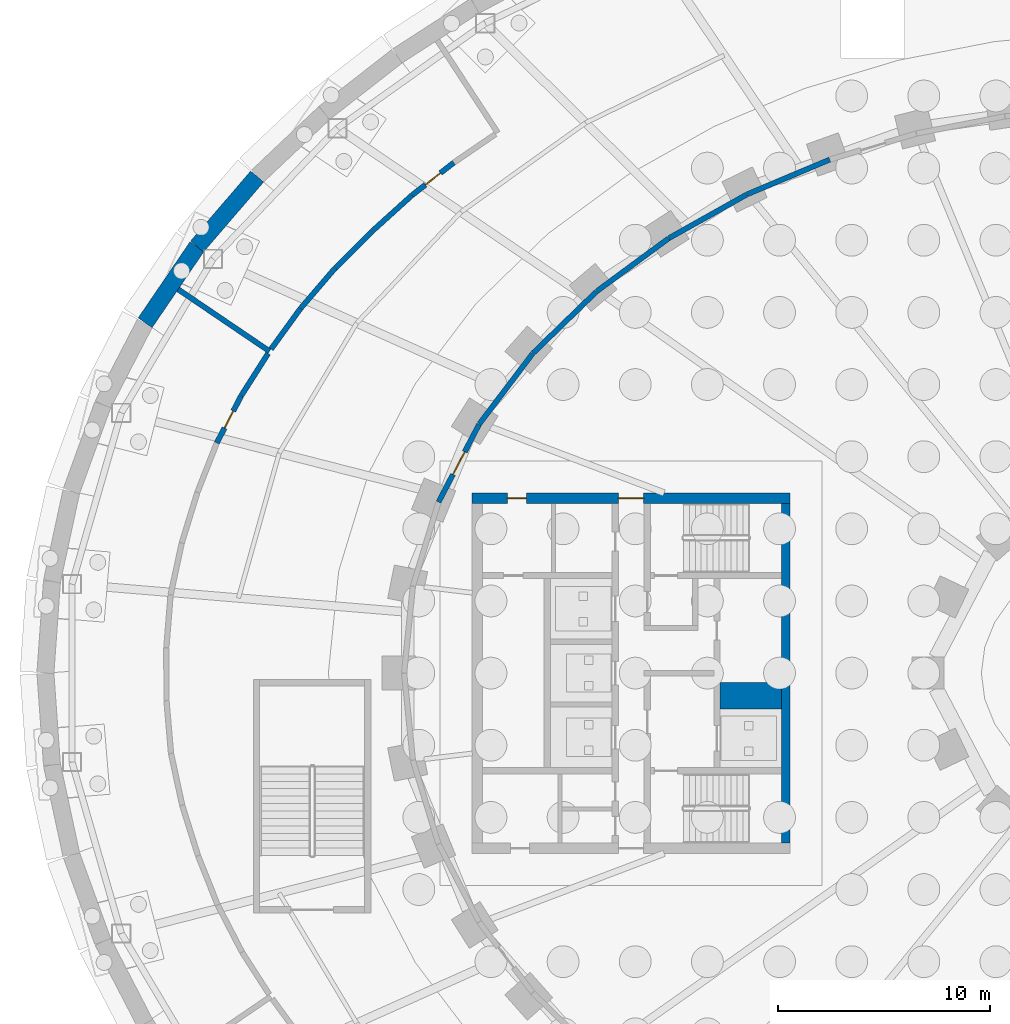
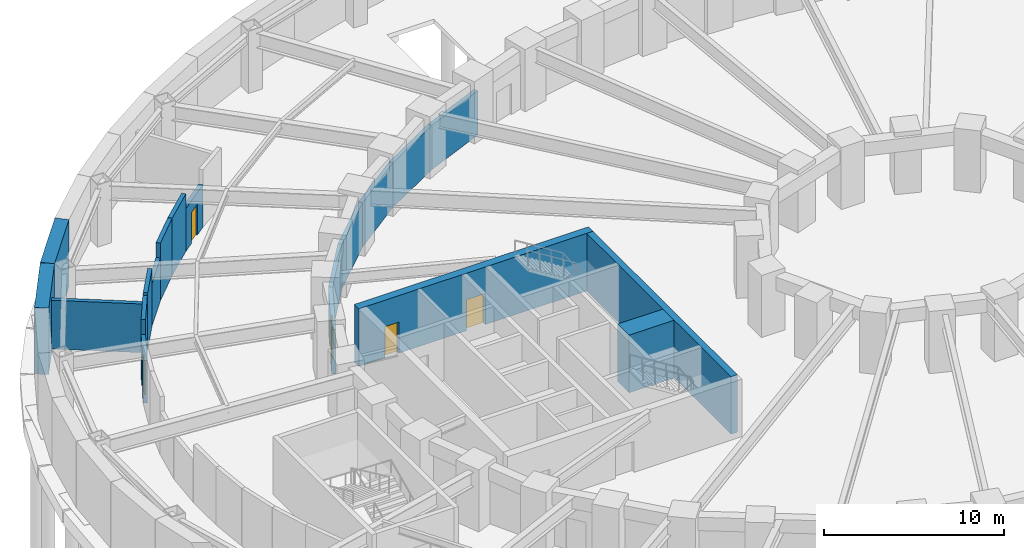
# One storey, part 12 of 19: 19 walls, 5 doors, 5 openings.
"""IFC4 building model written with IfcOpenShell, lengths in metres."""

from ifc_helpers import new_model, si_unit, direction, frame, frame_2d, origin, place, context, subcontext, project, spatial, rectangle, extrude, material, layer, layer_set, type_object, element, fill, save


model = new_model("IFC4")

# Units and contexts
model_context = context("Model", 3, precision=1e-05, world=origin(), true_north=direction((0.0, 1.0)))
body_context = subcontext(model_context, "Body", "Model", "MODEL_VIEW")
ifc_project = project(units=[si_unit("LENGTHUNIT", "METRE"), si_unit("AREAUNIT", "SQUARE_METRE"), si_unit("VOLUMEUNIT", "CUBIC_METRE"), si_unit("PLANEANGLEUNIT", "RADIAN"), si_unit("MASSUNIT", "GRAM", prefix="KILO")], contexts=[model_context])

# Site, building, storey
site_placement = place(None, origin())
site = spatial("IfcSite", under=ifc_project, at=site_placement, CompositionType="ELEMENT")
building_placement = place(site_placement, origin())
building = spatial("IfcBuilding", under=site, at=building_placement, Name="Noorbagh Ring Tower", CompositionType="ELEMENT")
storey_placement = place(building_placement, frame((0.0, 0.0, -8.39990234375)))
storey = spatial("IfcBuildingStorey", under=building, at=storey_placement, Name="B2", CompositionType="ELEMENT", Elevation=-8.39990234375)

# Walls
ifc_material_1 = material(Name="Concrete C70/85", Category="concrete")
ifc_layer_1 = layer(ifc_material_1, 1.25)
ifc_layer_set_1 = layer_set([ifc_layer_1], Name="Concrete C70/85")
wall_type_1 = type_object("IfcWallType", Name="CORE-WALL-1250-C70-85-EI120", PredefinedType="SHEAR", material=ifc_layer_set_1)
wall_1_placement = place(storey_placement, frame((-16.89990234375, -1.074951171875, 0.0), z_axis=(0.0, 0.0, 1.0), x_axis=(-1.0, 0.0, 0.0)))
element("IfcWall", 1, at=wall_1_placement, inside=storey, type_object=wall_type_1, Name="Core wall W", PredefinedType="SHEAR", context=body_context, shape_type="SweptSolid", body=[
    extrude(rectangle(XDim=2.900146484375, YDim=1.25, at=frame_2d((1.4501953125, 0.0))), origin(), (0.0, 0.0, 1.0), 3.89990234375),
])
ifc_material_2 = material(Name="Concrete C70/85", Category="concrete")
ifc_layer_2 = layer(ifc_material_2, 0.39990234375)
ifc_layer_set_2 = layer_set([ifc_layer_2], Name="Concrete C70/85")
wall_type_2 = type_object("IfcWallType", Name="CORE-WALL-400-C70-85-EI240", PredefinedType="SHEAR", material=ifc_layer_set_2)
wall_2_placement = place(storey_placement, frame((-16.699951171875, -8.0, 0.0), z_axis=(0.0, 0.0, 1.0), x_axis=(0.0, 1.0, 0.0)))
element("IfcWall", 2, at=wall_2_placement, inside=storey, type_object=wall_type_2, Name="Core wall W", PredefinedType="SHEAR", context=body_context, shape_type="SweptSolid", body=[
    extrude(rectangle(XDim=16.0, YDim=0.39990234375, at=frame_2d((8.0, 0.0))), origin(), (0.0, 0.0, 1.0), 3.89990234375),
])

# Wall, openings, doors
ifc_material_3 = material(Name="Concrete C70/85", Category="concrete")
ifc_layer_3 = layer(ifc_material_3, 0.5)
ifc_layer_set_3 = layer_set([ifc_layer_3], Name="Concrete C70/85")
wall_type_3 = type_object("IfcWallType", Name="CORE-WALL-500-C70-85-EI240", PredefinedType="SHEAR", material=ifc_layer_set_3)
wall_3_placement = place(storey_placement, frame((-16.5, 8.25, 0.0), z_axis=(0.0, 0.0, 1.0), x_axis=(-1.0, 0.0, 0.0)))
wall_3 = element("IfcWall", 3, at=wall_3_placement, inside=storey, type_object=wall_type_3, Name="Core wall W", PredefinedType="SHEAR", context=body_context, shape_type="SweptSolid", body=[
    extrude(rectangle(XDim=15.0, YDim=0.5, at=frame_2d((7.5, 0.0))), origin(), (0.0, 0.0, 1.0), 3.89990234375),
])
opening_1_placement = place(wall_3_placement, frame((6.89990234375, 0.0, 0.0)))
opening_1 = element("IfcOpeningElement", 4, at=opening_1_placement, cuts=wall_3, Name="Opening B2-CW09", PredefinedType="OPENING", context=body_context, shape_type="SweptSolid", body=[
    extrude(rectangle(XDim=1.199951171875, YDim=2.10009765625, at=frame_2d((0.60009765625, 1.050048828125))), frame((0.0, 0.260009765625, 0.0), z_axis=(0.0, -1.0, 0.0), x_axis=(1.0, 0.0, 0.0)), (0.0, 0.0, 1.0), 0.52001953125),
])
opening_2_placement = place(wall_3_placement, frame((12.425048828125, 0.0, 0.0)))
opening_2 = element("IfcOpeningElement", 5, at=opening_2_placement, cuts=wall_3, Name="Opening B2-CW13", PredefinedType="OPENING", context=body_context, shape_type="SweptSolid", body=[
    extrude(rectangle(XDim=0.89990234375, YDim=2.10009765625, at=frame_2d((0.449951171875, 1.050048828125))), frame((0.0, 0.260009765625, 0.0), z_axis=(0.0, -1.0, 0.0), x_axis=(1.0, 0.0, 0.0)), (0.0, 0.0, 1.0), 0.52001953125),
])
ifc_material_4 = material(Name="Steel door leaf", Category="steel")
door_type_1 = type_object("IfcDoorType", Name="CORE-DOOR-DROOM", OperationType="SINGLE_SWING_LEFT", PredefinedType="DOOR", material=ifc_material_4)
door_1_placement = place(opening_2_placement, origin())
door_1 = element("IfcDoor", 6, at=door_1_placement, inside=storey, type_object=door_type_1, Name="Core room door B2-CW13", OperationType="SINGLE_SWING_RIGHT", OverallHeight=2.10009765625, OverallWidth=0.89990234375, PredefinedType="DOOR", context=body_context, shape_type="SweptSolid", body=[
    extrude(rectangle(XDim=0.89990234375, YDim=2.10009765625, at=frame_2d((0.449951171875, 1.050048828125))), frame((0.0, 0.02490234375, 0.0), z_axis=(0.0, -1.0, 0.0), x_axis=(1.0, 0.0, 0.0)), (0.0, 0.0, 1.0), 0.050048828125),
])
fill(opening_2, door_1)
ifc_material_5 = material(Name="Steel door leaf", Category="steel")
door_type_2 = type_object("IfcDoorType", Name="CORE-DOOR-PORT", OperationType="DOUBLE_DOOR_DOUBLE_SWING", PredefinedType="DOOR", material=ifc_material_5)
door_2_placement = place(opening_1_placement, origin())
door_2 = element("IfcDoor", 7, at=door_2_placement, inside=storey, type_object=door_type_2, Name="Core entrance door B2-CW09", OperationType="DOUBLE_DOOR_DOUBLE_SWING", OverallHeight=2.10009765625, OverallWidth=1.199951171875, PredefinedType="DOOR", context=body_context, shape_type="SweptSolid", body=[
    extrude(rectangle(XDim=1.199951171875, YDim=2.10009765625, at=frame_2d((0.60009765625, 1.050048828125))), frame((0.0, 0.02490234375, 0.0), z_axis=(0.0, -1.0, 0.0), x_axis=(1.0, 0.0, 0.0)), (0.0, 0.0, 1.0), 0.050048828125),
])
fill(opening_1, door_2)

# Wall
ifc_material_6 = material(Name="Concrete C40/50", Category="concrete")
ifc_layer_4 = layer(ifc_material_6, 0.25)
ifc_layer_set_4 = layer_set([ifc_layer_4], Name="Concrete C40/50")
wall_type_4 = type_object("IfcWallType", Name="GND-WALL-250", PredefinedType="SOLIDWALL", material=ifc_layer_set_4)
wall_4_placement = place(storey_placement, frame((-41.103759765625, 15.063232421875, 0.0), z_axis=(0.0, 0.0, 1.0), x_axis=(-0.536701775194, -0.843772009789, 0.0)))
element("IfcWall", 8, at=wall_4_placement, inside=storey, type_object=wall_type_4, Name="Fire water tank room", PredefinedType="SOLIDWALL", context=body_context, shape_type="SweptSolid", body=[
    extrude(rectangle(XDim=2.364501953125, YDim=0.25, at=frame_2d((1.18212890625, 0.0))), origin(), (0.0, 0.0, 1.0), 3.89990234375),
])

# Wall, opening, door
wall_5_placement = place(storey_placement, frame((-42.379638671875, 13.055908203125, 0.0), z_axis=(0.0, 0.0, 1.0), x_axis=(-0.459310705797, -0.888275675419, 0.0)))
wall_5 = element("IfcWall", 9, at=wall_5_placement, inside=storey, type_object=wall_type_4, Name="Fire water tank room", PredefinedType="SOLIDWALL", context=body_context, shape_type="SweptSolid", body=[
    extrude(rectangle(XDim=2.486083984375, YDim=0.25, at=frame_2d((1.2431640625, 0.0))), origin(), (0.0, 0.0, 1.0), 2.89990234375),
])
opening_3_placement = place(wall_5_placement, frame((0.79296875, 0.0, 0.0)))
opening_3 = element("IfcOpeningElement", 10, at=opening_3_placement, cuts=wall_5, Name="Opening GD2", PredefinedType="OPENING", context=body_context, shape_type="SweptSolid", body=[
    extrude(rectangle(XDim=0.89990234375, YDim=2.10009765625, at=frame_2d((0.449951171875, 1.050048828125))), frame((0.0, 0.135009765625, 0.0), z_axis=(0.0, -1.0, 0.0), x_axis=(1.0, 0.0, 0.0)), (0.0, 0.0, 1.0), 0.27001953125),
])
ifc_material_7 = material(Name="Steel", Category="steel")
door_type_3 = type_object("IfcDoorType", Name="GND-DOOR-SVC120", OperationType="SINGLE_SWING_LEFT", PredefinedType="DOOR", material=ifc_material_7)
door_3_placement = place(opening_3_placement, origin())
door_3 = element("IfcDoor", 11, at=door_3_placement, inside=storey, type_object=door_type_3, Name="Fire water tank room door", OperationType="SINGLE_SWING_LEFT", OverallHeight=2.10009765625, OverallWidth=0.89990234375, PredefinedType="DOOR", context=body_context, shape_type="SweptSolid", body=[
    extrude(rectangle(XDim=0.89990234375, YDim=2.10009765625, at=frame_2d((0.449951171875, 1.050048828125))), frame((0.0, 0.02490234375, 0.0), z_axis=(0.0, -1.0, 0.0), x_axis=(1.0, 0.0, 0.0)), (0.0, 0.0, 1.0), 0.050048828125),
])
fill(opening_3, door_3)

# Wall
wall_6_placement = place(storey_placement, frame((-41.03662109375, 15.168701171875, 0.0), z_axis=(0.0, 0.0, 1.0), x_axis=(-0.827815300242, 0.561000738577, 0.0)))
element("IfcWall", 12, at=wall_6_placement, inside=storey, type_object=wall_type_4, Name="Fire water tank room", PredefinedType="SOLIDWALL", context=body_context, shape_type="SweptSolid", body=[
    extrude(rectangle(XDim=5.199951171875, YDim=0.25, at=frame_2d((2.60009765625, 0.0))), origin(), (0.0, 0.0, 1.0), 3.2998046875),
])

# Wall, opening, door
wall_7_placement = place(storey_placement, frame((-32.353271484375, 24.056884765625, 0.0), z_axis=(0.0, 0.0, 1.0), x_axis=(-0.788484208298, -0.615055000195, 0.0)))
wall_7 = element("IfcWall", 13, at=wall_7_placement, inside=storey, type_object=wall_type_4, Name="Plant room", PredefinedType="SOLIDWALL", context=body_context, shape_type="SweptSolid", body=[
    extrude(rectangle(XDim=2.486083984375, YDim=0.25, at=frame_2d((1.2431640625, 0.0))), origin(), (0.0, 0.0, 1.0), 2.89990234375),
])
opening_4_placement = place(wall_7_placement, frame((0.79296875, 0.0, 0.0)))
opening_4 = element("IfcOpeningElement", 14, at=opening_4_placement, cuts=wall_7, Name="Opening GD2", PredefinedType="OPENING", context=body_context, shape_type="SweptSolid", body=[
    extrude(rectangle(XDim=0.89990234375, YDim=2.10009765625, at=frame_2d((0.449951171875, 1.050048828125))), frame((0.0, 0.135009765625, 0.0), z_axis=(0.0, -1.0, 0.0), x_axis=(1.0, 0.0, 0.0)), (0.0, 0.0, 1.0), 0.27001953125),
])
door_4_placement = place(opening_4_placement, origin())
door_4 = element("IfcDoor", 15, at=door_4_placement, inside=storey, type_object=door_type_3, Name="Plant room door", OperationType="SINGLE_SWING_RIGHT", OverallHeight=2.10009765625, OverallWidth=0.89990234375, PredefinedType="DOOR", context=body_context, shape_type="SweptSolid", body=[
    extrude(rectangle(XDim=0.89990234375, YDim=2.10009765625, at=frame_2d((0.449951171875, 1.050048828125))), frame((0.0, 0.02490234375, 0.0), z_axis=(0.0, -1.0, 0.0), x_axis=(1.0, 0.0, 0.0)), (0.0, 0.0, 1.0), 0.050048828125),
])
fill(opening_4, door_4)

# Walls
for number, where, z_axis, x_axis, name in (
    (16, (-34.32421875, 22.518798828125, 0.0), (0.0, 0.0, 1.0), (-0.741933855282, -0.670473082522, 0.0), "Plant room"),
    (17, (-36.17724609375, 20.843994140625, 0.0), (0.0, 0.0, 1.0), (-0.709020987451, -0.705187378896, 0.0), "Plant room"),
):
    element("IfcWall", number, at=place(storey_placement, frame(where, z_axis=z_axis, x_axis=x_axis)), inside=storey, type_object=wall_type_4, Name=name, PredefinedType="SOLIDWALL", context=body_context, shape_type="SweptSolid", body=[
        extrude(rectangle(XDim=2.483642578125, YDim=0.25, at=frame_2d((1.24169921875, 0.0))), origin(), (0.0, 0.0, 1.0), 3.89990234375),
    ])
wall_8_placement = place(storey_placement, frame((-37.94775390625, 19.08251953125, 0.0), z_axis=(0.0, 0.0, 1.0), x_axis=(-0.651349194993, -0.758778113932, 0.0)))
element("IfcWall", 18, at=wall_8_placement, inside=storey, type_object=wall_type_4, Name="Plant room", PredefinedType="SOLIDWALL", context=body_context, shape_type="SweptSolid", body=[
    extrude(rectangle(XDim=2.486083984375, YDim=0.25, at=frame_2d((1.2431640625, 0.0))), origin(), (0.0, 0.0, 1.0), 2.89990234375),
])
wall_9_placement = place(storey_placement, frame((-39.57568359375, 17.18505859375, 0.0), z_axis=(0.0, 0.0, 1.0), x_axis=(-0.586771324396, -0.809752686236, 0.0)))
element("IfcWall", 19, at=wall_9_placement, inside=storey, type_object=wall_type_4, Name="Plant room", PredefinedType="SOLIDWALL", context=body_context, shape_type="SweptSolid", body=[
    extrude(rectangle(XDim=2.364990234375, YDim=0.25, at=frame_2d((1.1826171875, 0.0))), origin(), (0.0, 0.0, 1.0), 3.89990234375),
])
ifc_material_8 = material(Name="Concrete C40/50", Category="concrete")
ifc_layer_5 = layer(ifc_material_8, 0.25)
ifc_layer_set_5 = layer_set([ifc_layer_5], Name="Concrete C40/50")
wall_type_5 = type_object("IfcWallType", Name="GND-WALL-RING", PredefinedType="SOLIDWALL", material=ifc_layer_set_5)
wall_10_placement = place(storey_placement, frame((-14.633056640625, 24.201904296875, 0.0), z_axis=(0.0, 0.0, 1.0), x_axis=(-0.921810386469, -0.387641085798, 0.0)))
element("IfcWall", 20, at=wall_10_placement, inside=storey, type_object=wall_type_5, Name="Tower basement fire wall", PredefinedType="SOLIDWALL", context=body_context, shape_type="SweptSolid", body=[
    extrude(rectangle(XDim=4.225341796875, YDim=0.25, at=frame_2d((2.11279296875, 0.0))), origin(), (0.0, 0.0, 1.0), 3.0),
])
wall_11_placement = place(storey_placement, frame((-18.544189453125, 22.555908203125, 0.0), z_axis=(0.0, 0.0, 1.0), x_axis=(-0.872061015455, -0.489397165218, 0.0)))
element("IfcWall", 21, at=wall_11_placement, inside=storey, type_object=wall_type_5, Name="Tower basement fire wall", PredefinedType="SOLIDWALL", context=body_context, shape_type="SweptSolid", body=[
    extrude(rectangle(XDim=4.21337890625, YDim=0.25, at=frame_2d((2.106689453125, 0.0))), origin(), (0.0, 0.0, 1.0), 3.0),
])
wall_12_placement = place(storey_placement, frame((-22.2333984375, 20.484130859375, 0.0), z_axis=(0.0, 0.0, 1.0), x_axis=(-0.805155221937, -0.593064135306, 0.0)))
element("IfcWall", 22, at=wall_12_placement, inside=storey, type_object=wall_type_5, Name="Tower basement fire wall", PredefinedType="SOLIDWALL", context=body_context, shape_type="SweptSolid", body=[
    extrude(rectangle(XDim=4.197998046875, YDim=0.25, at=frame_2d((2.09912109375, 0.0))), origin(), (0.0, 0.0, 1.0), 3.0),
])
wall_13_placement = place(storey_placement, frame((-25.627197265625, 17.98291015625, 0.0), z_axis=(0.0, 0.0, 1.0), x_axis=(-0.717227656803, -0.696838925661, 0.0)))
element("IfcWall", 23, at=wall_13_placement, inside=storey, type_object=wall_type_5, Name="Tower basement fire wall", PredefinedType="SOLIDWALL", context=body_context, shape_type="SweptSolid", body=[
    extrude(rectangle(XDim=4.178955078125, YDim=0.25, at=frame_2d((2.08935546875, 0.0))), origin(), (0.0, 0.0, 1.0), 3.0),
])
wall_14_placement = place(storey_placement, frame((-28.636474609375, 15.05712890625, 0.0), z_axis=(0.0, 0.0, 1.0), x_axis=(-0.604041965907, -0.796952510143, 0.0)))
element("IfcWall", 24, at=wall_14_placement, inside=storey, type_object=wall_type_5, Name="Tower basement fire wall", PredefinedType="SOLIDWALL", context=body_context, shape_type="SweptSolid", body=[
    extrude(rectangle(XDim=4.157470703125, YDim=0.25, at=frame_2d((2.07861328125, 0.0))), origin(), (0.0, 0.0, 1.0), 3.0),
])

# Wall, opening, door
wall_15_placement = place(storey_placement, frame((-31.1572265625, 11.728759765625, 0.0), z_axis=(0.0, 0.0, 1.0), x_axis=(-0.462265314279, -0.886741664305, 0.0)))
wall_15 = element("IfcWall", 25, at=wall_15_placement, inside=storey, type_object=wall_type_5, Name="Tower basement fire wall", PredefinedType="SOLIDWALL", context=body_context, shape_type="SweptSolid", body=[
    extrude(rectangle(XDim=4.134765625, YDim=0.25, at=frame_2d((2.0673828125, 0.0))), origin(), (0.0, 0.0, 1.0), 3.0),
])
opening_5_placement = place(wall_15_placement, frame((1.46728515625, 0.0, 0.0)))
opening_5 = element("IfcOpeningElement", 26, at=opening_5_placement, cuts=wall_15, Name="Opening GD4", PredefinedType="OPENING", context=body_context, shape_type="SweptSolid", body=[
    extrude(rectangle(XDim=1.199951171875, YDim=2.10009765625, at=frame_2d((0.60009765625, 1.050048828125))), frame((0.0, 0.135009765625, 0.0), z_axis=(0.0, -1.0, 0.0), x_axis=(1.0, 0.0, 0.0)), (0.0, 0.0, 1.0), 0.27001953125),
])
ifc_material_9 = material(Name="Steel", Category="steel")
door_type_4 = type_object("IfcDoorType", Name="GND-DOOR-RING", OperationType="DOUBLE_DOOR_SINGLE_SWING", PredefinedType="DOOR", material=ifc_material_9)
door_5_placement = place(opening_5_placement, origin())
door_5 = element("IfcDoor", 27, at=door_5_placement, inside=storey, type_object=door_type_4, Name="Tower basement door", OperationType="DOUBLE_DOOR_SINGLE_SWING", OverallHeight=2.10009765625, OverallWidth=1.199951171875, PredefinedType="DOOR", context=body_context, shape_type="SweptSolid", body=[
    extrude(rectangle(XDim=1.199951171875, YDim=2.10009765625, at=frame_2d((0.60009765625, 1.050048828125))), frame((0.0, 0.02490234375, 0.0), z_axis=(0.0, -1.0, 0.0), x_axis=(1.0, 0.0, 0.0)), (0.0, 0.0, 1.0), 0.050048828125),
])
fill(opening_5, door_5)

# Walls
ifc_material_10 = material(Name="Concrete C40/50", Category="concrete")
ifc_layer_6 = layer(ifc_material_10, 0.800048828125)
ifc_layer_set_6 = layer_set([ifc_layer_6], Name="Concrete C40/50")
wall_type_6 = type_object("IfcWallType", Name="STR-RETAINING-WALL", PredefinedType="SOLIDWALL", material=ifc_layer_set_6)
wall_16_placement = place(storey_placement, frame((-41.61669921875, 23.406005859375, -0.300048828125), z_axis=(0.0, 0.0, 1.0), x_axis=(-0.651387059497, -0.758745608699, 0.0)))
element("IfcWall", 28, at=wall_16_placement, inside=storey, type_object=wall_type_6, Name="B2/retwall/28", PredefinedType="SOLIDWALL", context=body_context, shape_type="SweptSolid", body=[
    extrude(rectangle(XDim=4.3525390625, YDim=0.800048828125, at=frame_2d((2.17626953125, 0.0))), origin(), (0.0, 0.0, 1.0), 4.5),
])
wall_17_placement = place(storey_placement, frame((-44.451904296875, 20.103515625, -0.300048828125), z_axis=(0.0, 0.0, 1.0), x_axis=(-0.562667738859, -0.82668314102, 0.0)))
element("IfcWall", 29, at=wall_17_placement, inside=storey, type_object=wall_type_6, Name="B2/retwall/29", PredefinedType="SOLIDWALL", context=body_context, shape_type="SweptSolid", body=[
    extrude(rectangle(XDim=4.348876953125, YDim=0.800048828125, at=frame_2d((2.17431640625, 0.0))), origin(), (0.0, 0.0, 1.0), 4.5),
])

save(model, "model.ifc")
